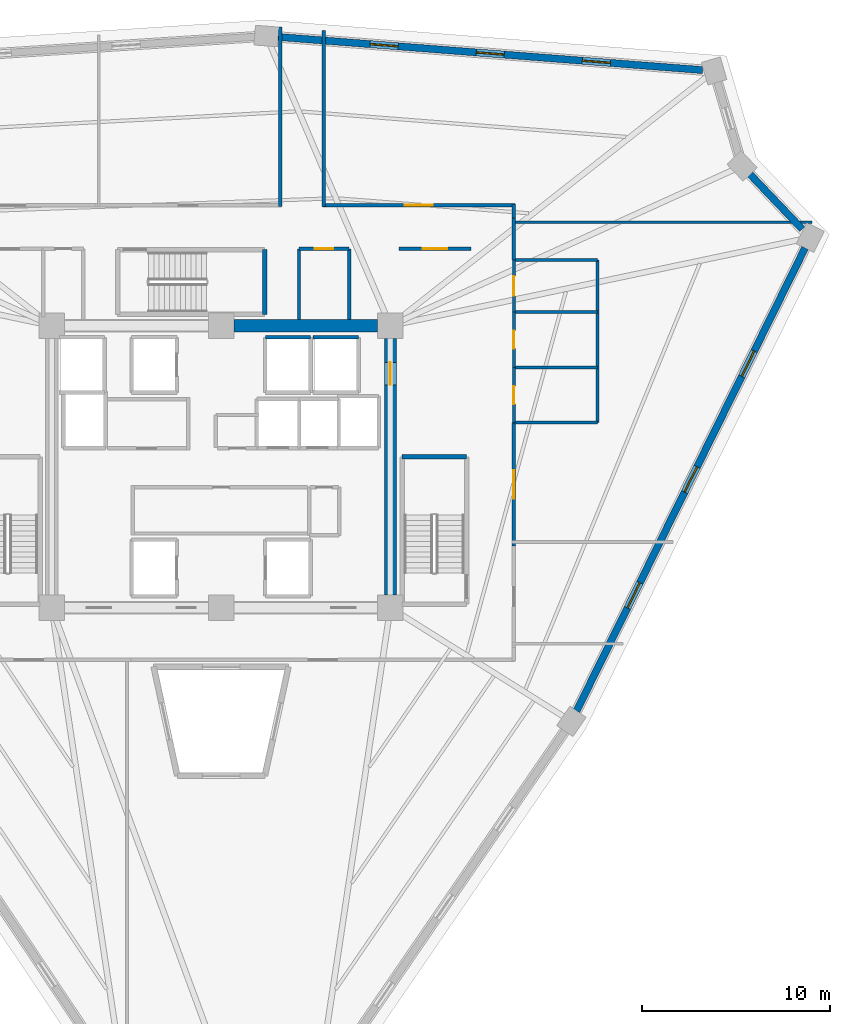
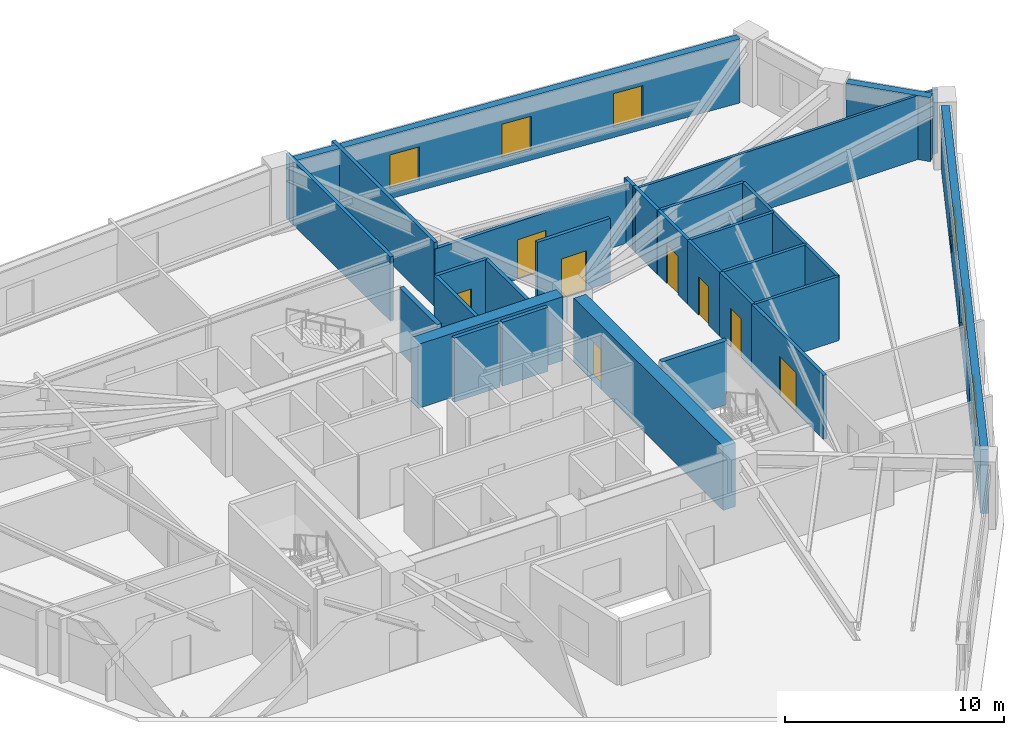
# One storey, part 6 of 8: 28 walls, 8 doors, 6 windows, 14 openings.
"""IFC4 building model written with IfcOpenShell, lengths in metres."""

from ifc_helpers import new_model, si_unit, direction, frame, frame_2d, origin, place, context, subcontext, project, spatial, rectangle, extrude, source, transform, mapped, material, layer, layer_set, type_object, element, fill, save


model = new_model("IFC4")

# Units and contexts
model_context = context("Model", 3, precision=1e-05, world=origin(), true_north=direction((0.0, 1.0)))
body_context = subcontext(model_context, "Body", "Model", "MODEL_VIEW")
ifc_project = project(units=[si_unit("LENGTHUNIT", "METRE"), si_unit("AREAUNIT", "SQUARE_METRE"), si_unit("VOLUMEUNIT", "CUBIC_METRE"), si_unit("PLANEANGLEUNIT", "RADIAN"), si_unit("MASSUNIT", "GRAM", prefix="KILO")], contexts=[model_context])

# Site, building, storey
site_placement = place(None, origin())
site = spatial("IfcSite", under=ifc_project, at=site_placement, CompositionType="ELEMENT")
building_placement = place(site_placement, origin())
building = spatial("IfcBuilding", under=site, at=building_placement, Name="Liaohun Quay Tower", CompositionType="ELEMENT")
storey_placement = place(building_placement, frame((0.0, 0.0, 270.0)))
storey = spatial("IfcBuildingStorey", under=building, at=storey_placement, Name="L70", CompositionType="ELEMENT", Elevation=270.0)

# Wall
ifc_material_1 = material(Name="Concrete C55", Category="concrete")
ifc_layer_1 = layer(ifc_material_1, 0.64990234375, Name="Concrete C55", Category="concrete")
ifc_layer_set_1 = layer_set([ifc_layer_1], Name="Concrete C55")
wall_type_1 = type_object("IfcWallType", Name="WAL-COR-Z3", PredefinedType="SHEAR", material=ifc_layer_set_1)
wall_1_placement = place(storey_placement, frame((60.675048828125, 61.5, 0.0), z_axis=(0.0, 0.0, 1.0), x_axis=(1.0, 0.0, 0.0)))
element("IfcWall", 1, at=wall_1_placement, inside=storey, type_object=wall_type_1, Name="L70 Central Core Shear Wall N-E", PredefinedType="SHEAR", context=body_context, shape_type="SweptSolid", body=[
    extrude(rectangle(XDim=7.64990234375, YDim=0.64990234375, at=frame_2d((3.824951171875, 0.0))), origin(), (0.0, 0.0, 1.0), 3.570068359375),
])

# Wall, opening, door
wall_2_placement = place(storey_placement, frame((69.0, 60.824951171875, 0.0), z_axis=(0.0, 0.0, 1.0), x_axis=(0.0, -1.0, 0.0)))
wall_2 = element("IfcWall", 2, at=wall_2_placement, inside=storey, type_object=wall_type_1, Name="L70 Central Core Shear Wall E", PredefinedType="SHEAR", context=body_context, shape_type="SweptSolid", body=[
    extrude(rectangle(XDim=13.64990234375, YDim=0.64990234375, at=frame_2d((6.824951171875, 0.0))), origin(), (0.0, 0.0, 1.0), 3.570068359375),
])
shared_shape_1 = source(origin(), body_context, "Body", "SweptSolid", [
    extrude(rectangle(XDim=1.199951171875, YDim=2.199951171875, at=frame_2d((0.60009765625, 1.10009765625))), frame((0.0, 0.3349609375, 0.0), z_axis=(0.0, -1.0, 0.0), x_axis=(1.0, 0.0, 0.0)), (0.0, 0.0, 1.0), 0.669921875),
])
opening_1_placement = place(wall_2_placement, frame((1.27490234375, 0.0, 0.0)))
opening_1 = element("IfcOpeningElement", 3, at=opening_1_placement, cuts=wall_2, Name="Opening SD1", PredefinedType="OPENING", context=body_context, shape_type="MappedRepresentation", body=[
    mapped(shared_shape_1, transform((0.0, 0.0, 0.0), x_axis=(1.0, 0.0, 0.0), y_axis=(0.0, 1.0, 0.0), z_axis=(0.0, 0.0, 1.0), scale=1.0)),
])
ifc_material_2 = material(Name="Galvanised steel fire door", Category="steel")
door_type_1 = type_object("IfcDoorType", Name="DOR-STR-1200", OperationType="NOTDEFINED", PredefinedType="DOOR", material=ifc_material_2)
shared_shape_2 = source(origin(), body_context, "Body", "SweptSolid", [
    extrude(rectangle(XDim=1.199951171875, YDim=2.199951171875, at=frame_2d((0.60009765625, 1.10009765625))), frame((0.0, 0.02490234375, 0.0), z_axis=(0.0, -1.0, 0.0), x_axis=(1.0, 0.0, 0.0)), (0.0, 0.0, 1.0), 0.050048828125),
])
door_1_placement = place(opening_1_placement, origin())
door_1 = element("IfcDoor", 4, at=door_1_placement, inside=storey, type_object=door_type_1, Name="L70 North-East Core Lobby Smokeproof Door", OperationType="SINGLE_SWING_LEFT", OverallHeight=2.199951171875, OverallWidth=1.199951171875, PredefinedType="DOOR", context=body_context, shape_type="MappedRepresentation", body=[
    mapped(shared_shape_2, transform((0.0, 0.0, 0.0), x_axis=(1.0, 0.0, 0.0), y_axis=(0.0, 1.0, 0.0), z_axis=(0.0, 0.0, 1.0), scale=1.0)),
])
fill(opening_1, door_1)

# Wall, openings, windows
ifc_material_3 = material(Name="Precast concrete C50 insulated sandwich", Category="concrete")
ifc_layer_2 = layer(ifc_material_3, 0.3798828125, Name="Precast concrete C50 insulated sandwich", Category="concrete")
ifc_layer_set_2 = layer_set([ifc_layer_2], Name="Precast concrete C50 insulated sandwich")
wall_type_2 = type_object("IfcWallType", Name="WAL-EXT-Z34", PredefinedType="SOLIDWALL", material=ifc_layer_set_2)
wall_3_placement = place(storey_placement, frame((78.89697265625, 41.012939453125, 0.0), z_axis=(0.0, 0.0, 1.0), x_axis=(0.44256239755, 0.896737712084, 0.0)))
wall_3 = element("IfcWall", 5, at=wall_3_placement, inside=storey, type_object=wall_type_2, Name="L70 Brutalist Precast Pier Wall 03", PredefinedType="SOLIDWALL", context=body_context, shape_type="SweptSolid", body=[
    extrude(rectangle(XDim=27.456298828125, YDim=0.3798828125, at=frame_2d((13.72802734375, 0.0))), origin(), (0.0, 0.0, 1.0), 3.570068359375),
])
shared_shape_3 = source(origin(), body_context, "Body", "SweptSolid", [
    extrude(rectangle(XDim=1.5, YDim=1.89990234375, at=frame_2d((0.75, 0.949951171875))), frame((0.0, 0.199951171875, 0.0), z_axis=(0.0, -1.0, 0.0), x_axis=(1.0, 0.0, 0.0)), (0.0, 0.0, 1.0), 0.39990234375),
])
opening_2_placement = place(wall_3_placement, frame((6.114013671875, 0.0, 0.550048828125)))
opening_2 = element("IfcOpeningElement", 6, at=opening_2_placement, cuts=wall_3, Name="Opening W03", PredefinedType="OPENING", context=body_context, shape_type="MappedRepresentation", body=[
    mapped(shared_shape_3, transform((0.0, 0.0, 0.0), x_axis=(1.0, 0.0, 0.0), y_axis=(0.0, 1.0, 0.0), z_axis=(0.0, 0.0, 1.0), scale=1.0)),
])
opening_3_placement = place(wall_3_placement, frame((12.97802734375, 0.0, 0.550048828125)))
opening_3 = element("IfcOpeningElement", 7, at=opening_3_placement, cuts=wall_3, Name="Opening W03", PredefinedType="OPENING", context=body_context, shape_type="MappedRepresentation", body=[
    mapped(shared_shape_3, transform((0.0, 0.0, 0.0), x_axis=(1.0, 0.0, 0.0), y_axis=(0.0, 1.0, 0.0), z_axis=(0.0, 0.0, 1.0), scale=1.0)),
])
opening_4_placement = place(wall_3_placement, frame((19.842041015625, 0.0, 0.550048828125)))
opening_4 = element("IfcOpeningElement", 8, at=opening_4_placement, cuts=wall_3, Name="Opening W03", PredefinedType="OPENING", context=body_context, shape_type="MappedRepresentation", body=[
    mapped(shared_shape_3, transform((0.0, 0.0, 0.0), x_axis=(1.0, 0.0, 0.0), y_axis=(0.0, 1.0, 0.0), z_axis=(0.0, 0.0, 1.0), scale=1.0)),
])
ifc_material_4 = material(Name="Triple Low-E argon glazing in thermally broken aluminium", Category="aluminium")
window_type = type_object("IfcWindowType", Name="WIN-PUN-Z3", PartitioningType="DOUBLE_PANEL_VERTICAL", PredefinedType="WINDOW", material=ifc_material_4)
shared_shape_4 = source(origin(), body_context, "Body", "SweptSolid", [
    extrude(rectangle(XDim=1.5, YDim=1.89990234375, at=frame_2d((0.75, 0.949951171875))), frame((0.0, 0.030029296875, 0.0), z_axis=(0.0, -1.0, 0.0), x_axis=(1.0, 0.0, 0.0)), (0.0, 0.0, 1.0), 0.06005859375),
])
window_1_placement = place(opening_2_placement, origin())
window_1 = element("IfcWindow", 9, at=window_1_placement, inside=storey, type_object=window_type, Name="L70 Recessed Cold-Climate Punched Window 03-1", OverallHeight=1.89990234375, OverallWidth=1.5, PartitioningType="DOUBLE_PANEL_VERTICAL", PredefinedType="WINDOW", context=body_context, shape_type="MappedRepresentation", body=[
    mapped(shared_shape_4, transform((0.0, 0.0, 0.0), x_axis=(1.0, 0.0, 0.0), y_axis=(0.0, 1.0, 0.0), z_axis=(0.0, 0.0, 1.0), scale=1.0)),
])
fill(opening_2, window_1)
window_2_placement = place(opening_3_placement, origin())
window_2 = element("IfcWindow", 10, at=window_2_placement, inside=storey, type_object=window_type, Name="L70 Recessed Cold-Climate Punched Window 03-2", OverallHeight=1.89990234375, OverallWidth=1.5, PartitioningType="DOUBLE_PANEL_VERTICAL", PredefinedType="WINDOW", context=body_context, shape_type="MappedRepresentation", body=[
    mapped(shared_shape_4, transform((0.0, 0.0, 0.0), x_axis=(1.0, 0.0, 0.0), y_axis=(0.0, 1.0, 0.0), z_axis=(0.0, 0.0, 1.0), scale=1.0)),
])
fill(opening_3, window_2)
window_3_placement = place(opening_4_placement, origin())
window_3 = element("IfcWindow", 11, at=window_3_placement, inside=storey, type_object=window_type, Name="L70 Recessed Cold-Climate Punched Window 03-3", OverallHeight=1.89990234375, OverallWidth=1.5, PartitioningType="DOUBLE_PANEL_VERTICAL", PredefinedType="WINDOW", context=body_context, shape_type="MappedRepresentation", body=[
    mapped(shared_shape_4, transform((0.0, 0.0, 0.0), x_axis=(1.0, 0.0, 0.0), y_axis=(0.0, 1.0, 0.0), z_axis=(0.0, 0.0, 1.0), scale=1.0)),
])
fill(opening_4, window_3)

# Wall
wall_4_placement = place(storey_placement, frame((90.89599609375, 66.631103515625, 0.0), z_axis=(0.0, 0.0, 1.0), x_axis=(-0.689385443417, 0.724394720028, 0.0)))
element("IfcWall", 12, at=wall_4_placement, inside=storey, type_object=wall_type_2, Name="L70 Brutalist Precast Pier Wall 04", PredefinedType="SOLIDWALL", context=body_context, shape_type="SweptSolid", body=[
    extrude(rectangle(XDim=4.023681640625, YDim=0.3798828125, at=frame_2d((2.01171875, 0.0))), origin(), (0.0, 0.0, 1.0), 3.570068359375),
])

# Wall, openings, windows
wall_5_placement = place(storey_placement, frame((85.596923828125, 75.087890625, 0.0), z_axis=(0.0, 0.0, 1.0), x_axis=(-0.996963017865, 0.077876447083, 0.0)))
wall_5 = element("IfcWall", 13, at=wall_5_placement, inside=storey, type_object=wall_type_2, Name="L70 Brutalist Precast Pier Wall 06", PredefinedType="SOLIDWALL", context=body_context, shape_type="SweptSolid", body=[
    extrude(rectangle(XDim=22.640869140625, YDim=0.3798828125, at=frame_2d((11.3203125, 0.0))), origin(), (0.0, 0.0, 1.0), 3.570068359375),
])
opening_5_placement = place(wall_5_placement, frame((4.909912109375, 0.0, 0.550048828125)))
opening_5 = element("IfcOpeningElement", 14, at=opening_5_placement, cuts=wall_5, Name="Opening W03", PredefinedType="OPENING", context=body_context, shape_type="MappedRepresentation", body=[
    mapped(shared_shape_3, transform((0.0, 0.0, 0.0), x_axis=(1.0, 0.0, 0.0), y_axis=(0.0, 1.0, 0.0), z_axis=(0.0, 0.0, 1.0), scale=1.0)),
])
opening_6_placement = place(wall_5_placement, frame((10.570068359375, 0.0, 0.550048828125)))
opening_6 = element("IfcOpeningElement", 15, at=opening_6_placement, cuts=wall_5, Name="Opening W03", PredefinedType="OPENING", context=body_context, shape_type="MappedRepresentation", body=[
    mapped(shared_shape_3, transform((0.0, 0.0, 0.0), x_axis=(1.0, 0.0, 0.0), y_axis=(0.0, 1.0, 0.0), z_axis=(0.0, 0.0, 1.0), scale=1.0)),
])
opening_7_placement = place(wall_5_placement, frame((16.23095703125, 0.0, 0.550048828125)))
opening_7 = element("IfcOpeningElement", 16, at=opening_7_placement, cuts=wall_5, Name="Opening W03", PredefinedType="OPENING", context=body_context, shape_type="MappedRepresentation", body=[
    mapped(shared_shape_3, transform((0.0, 0.0, 0.0), x_axis=(1.0, 0.0, 0.0), y_axis=(0.0, 1.0, 0.0), z_axis=(0.0, 0.0, 1.0), scale=1.0)),
])
window_4_placement = place(opening_5_placement, origin())
window_4 = element("IfcWindow", 17, at=window_4_placement, inside=storey, type_object=window_type, Name="L70 Recessed Cold-Climate Punched Window 06-1", OverallHeight=1.89990234375, OverallWidth=1.5, PartitioningType="DOUBLE_PANEL_VERTICAL", PredefinedType="WINDOW", context=body_context, shape_type="MappedRepresentation", body=[
    mapped(shared_shape_4, transform((0.0, 0.0, 0.0), x_axis=(1.0, 0.0, 0.0), y_axis=(0.0, 1.0, 0.0), z_axis=(0.0, 0.0, 1.0), scale=1.0)),
])
fill(opening_5, window_4)
window_5_placement = place(opening_6_placement, origin())
window_5 = element("IfcWindow", 18, at=window_5_placement, inside=storey, type_object=window_type, Name="L70 Recessed Cold-Climate Punched Window 06-2", OverallHeight=1.89990234375, OverallWidth=1.5, PartitioningType="DOUBLE_PANEL_VERTICAL", PredefinedType="WINDOW", context=body_context, shape_type="MappedRepresentation", body=[
    mapped(shared_shape_4, transform((0.0, 0.0, 0.0), x_axis=(1.0, 0.0, 0.0), y_axis=(0.0, 1.0, 0.0), z_axis=(0.0, 0.0, 1.0), scale=1.0)),
])
fill(opening_6, window_5)
window_6_placement = place(opening_7_placement, origin())
window_6 = element("IfcWindow", 19, at=window_6_placement, inside=storey, type_object=window_type, Name="L70 Recessed Cold-Climate Punched Window 06-3", OverallHeight=1.89990234375, OverallWidth=1.5, PartitioningType="DOUBLE_PANEL_VERTICAL", PredefinedType="WINDOW", context=body_context, shape_type="MappedRepresentation", body=[
    mapped(shared_shape_4, transform((0.0, 0.0, 0.0), x_axis=(1.0, 0.0, 0.0), y_axis=(0.0, 1.0, 0.0), z_axis=(0.0, 0.0, 1.0), scale=1.0)),
])
fill(opening_7, window_6)

# Wall, opening, door
ifc_material_5 = material(Name="Autoclaved aerated concrete blockwork", Category="masonry")
ifc_layer_3 = layer(ifc_material_5, 0.179931640625, Name="Autoclaved aerated concrete blockwork", Category="masonry")
ifc_layer_set_3 = layer_set([ifc_layer_3], Name="Autoclaved aerated concrete blockwork")
wall_type_3 = type_object("IfcWallType", Name="WAL-PRT-COR", PredefinedType="PARTITIONING", material=ifc_layer_set_3)
wall_6_placement = place(storey_placement, frame((64.139892578125, 65.580078125, 0.0), z_axis=(0.0, 0.0, 1.0), x_axis=(1.0, 0.0, 0.0)))
wall_6 = element("IfcWall", 20, at=wall_6_placement, inside=storey, type_object=wall_type_3, Name="L70 Interior Partition Wall 009", PredefinedType="PARTITIONING", context=body_context, shape_type="SweptSolid", body=[
    extrude(rectangle(XDim=2.670166015625, YDim=0.179931640625, at=frame_2d((1.3349609375, 0.0))), origin(), (0.0, 0.0, 1.0), 3.570068359375),
])
shared_shape_5 = source(origin(), body_context, "Body", "SweptSolid", [
    extrude(rectangle(XDim=1.0, YDim=2.199951171875, at=frame_2d((0.5, 1.10009765625))), frame((0.0, 0.099853515625, 0.0), z_axis=(0.0, -1.0, 0.0), x_axis=(1.0, 0.0, 0.0)), (0.0, 0.0, 1.0), 0.199951171875),
])
opening_8_placement = place(wall_6_placement, frame((0.8349609375, 0.0, 0.0)))
opening_8 = element("IfcOpeningElement", 21, at=opening_8_placement, cuts=wall_6, Name="Opening OD1", PredefinedType="OPENING", context=body_context, shape_type="MappedRepresentation", body=[
    mapped(shared_shape_5, transform((0.0, 0.0, 0.0), x_axis=(1.0, 0.0, 0.0), y_axis=(0.0, 1.0, 0.0), z_axis=(0.0, 0.0, 1.0), scale=1.0)),
])
ifc_material_6 = material(Name="Solid-core oak veneer timber leaf in steel frame", Category="steel")
door_type_2 = type_object("IfcDoorType", Name="DOR-OFF-1000", OperationType="NOTDEFINED", PredefinedType="DOOR", material=ifc_material_6)
shared_shape_6 = source(origin(), body_context, "Body", "SweptSolid", [
    extrude(rectangle(XDim=1.0, YDim=2.199951171875, at=frame_2d((0.5, 1.10009765625))), frame((0.0, 0.02490234375, 0.0), z_axis=(0.0, -1.0, 0.0), x_axis=(1.0, 0.0, 0.0)), (0.0, 0.0, 1.0), 0.050048828125),
])
door_2_placement = place(opening_8_placement, origin())
door_2 = element("IfcDoor", 22, at=door_2_placement, inside=storey, type_object=door_type_2, Name="L70 North-East Server Closet Door", OperationType="SINGLE_SWING_LEFT", OverallHeight=2.199951171875, OverallWidth=1.0, PredefinedType="DOOR", context=body_context, shape_type="MappedRepresentation", body=[
    mapped(shared_shape_6, transform((0.0, 0.0, 0.0), x_axis=(1.0, 0.0, 0.0), y_axis=(0.0, 1.0, 0.0), z_axis=(0.0, 0.0, 1.0), scale=1.0)),
])
fill(opening_8, door_2)

wall_7_placement = place(storey_placement, frame((69.4599609375, 65.580078125, 0.0), z_axis=(0.0, 0.0, 1.0), x_axis=(1.0, 0.0, 0.0)))
wall_7 = element("IfcWall", 23, at=wall_7_placement, inside=storey, type_object=wall_type_3, Name="L70 Interior Partition Wall 011", PredefinedType="PARTITIONING", context=body_context, shape_type="SweptSolid", body=[
    extrude(rectangle(XDim=3.840087890625, YDim=0.179931640625, at=frame_2d((1.919921875, 0.0))), origin(), (0.0, 0.0, 1.0), 3.570068359375),
])
shared_shape_7 = source(origin(), body_context, "Body", "SweptSolid", [
    extrude(rectangle(XDim=1.300048828125, YDim=2.199951171875, at=frame_2d((0.64990234375, 1.10009765625))), frame((0.0, 0.099853515625, 0.0), z_axis=(0.0, -1.0, 0.0), x_axis=(1.0, 0.0, 0.0)), (0.0, 0.0, 1.0), 0.199951171875),
])
opening_9_placement = place(wall_7_placement, frame((1.27001953125, 0.0, 0.0)))
opening_9 = element("IfcOpeningElement", 24, at=opening_9_placement, cuts=wall_7, Name="Opening FD1", PredefinedType="OPENING", context=body_context, shape_type="MappedRepresentation", body=[
    mapped(shared_shape_7, transform((0.0, 0.0, 0.0), x_axis=(1.0, 0.0, 0.0), y_axis=(0.0, 1.0, 0.0), z_axis=(0.0, 0.0, 1.0), scale=1.0)),
])
ifc_material_7 = material(Name="Galvanised steel smokeproof fire door", Category="steel")
door_type_3 = type_object("IfcDoorType", Name="DOR-FFL-1300", OperationType="NOTDEFINED", PredefinedType="DOOR", material=ifc_material_7)
shared_shape_8 = source(origin(), body_context, "Body", "SweptSolid", [
    extrude(rectangle(XDim=1.300048828125, YDim=2.199951171875, at=frame_2d((0.64990234375, 1.10009765625))), frame((0.0, 0.02490234375, 0.0), z_axis=(0.0, -1.0, 0.0), x_axis=(1.0, 0.0, 0.0)), (0.0, 0.0, 1.0), 0.050048828125),
])
door_3_placement = place(opening_9_placement, origin())
door_3 = element("IfcDoor", 25, at=door_3_placement, inside=storey, type_object=door_type_3, Name="L70 East Core Vestibule Door", OperationType="SINGLE_SWING_LEFT", OverallHeight=2.199951171875, OverallWidth=1.300048828125, PredefinedType="DOOR", context=body_context, shape_type="MappedRepresentation", body=[
    mapped(shared_shape_8, transform((0.0, 0.0, 0.0), x_axis=(1.0, 0.0, 0.0), y_axis=(0.0, 1.0, 0.0), z_axis=(0.0, 0.0, 1.0), scale=1.0)),
])
fill(opening_9, door_3)

wall_8_placement = place(storey_placement, frame((75.56005859375, 56.340087890625, 0.0), z_axis=(0.0, 0.0, 1.0), x_axis=(0.0, -1.0, 0.0)))
wall_8 = element("IfcWall", 26, at=wall_8_placement, inside=storey, type_object=wall_type_3, Name="L70 Interior Partition Wall 012", PredefinedType="PARTITIONING", context=body_context, shape_type="SweptSolid", body=[
    extrude(rectangle(XDim=6.55517578125, YDim=0.179931640625, at=frame_2d((3.277587890625, 0.0))), origin(), (0.0, 0.0, 1.0), 3.570068359375),
])
shared_shape_9 = source(origin(), body_context, "Body", "SweptSolid", [
    extrude(rectangle(XDim=1.5, YDim=2.199951171875, at=frame_2d((0.75, 1.10009765625))), frame((0.0, 0.099853515625, 0.0), z_axis=(0.0, -1.0, 0.0), x_axis=(1.0, 0.0, 0.0)), (0.0, 0.0, 1.0), 0.199951171875),
])
opening_10_placement = place(wall_8_placement, frame((2.528076171875, 0.0, 0.0)))
opening_10 = element("IfcOpeningElement", 27, at=opening_10_placement, cuts=wall_8, Name="Opening OD2", PredefinedType="OPENING", context=body_context, shape_type="MappedRepresentation", body=[
    mapped(shared_shape_9, transform((0.0, 0.0, 0.0), x_axis=(1.0, 0.0, 0.0), y_axis=(0.0, 1.0, 0.0), z_axis=(0.0, 0.0, 1.0), scale=1.0)),
])
ifc_material_8 = material(Name="Acoustic oak veneer double door")
door_type_4 = type_object("IfcDoorType", Name="DOR-OFF-1500", OperationType="DOUBLE_DOOR_SINGLE_SWING", PredefinedType="DOOR", material=ifc_material_8)
shared_shape_10 = source(origin(), body_context, "Body", "SweptSolid", [
    extrude(rectangle(XDim=1.5, YDim=2.199951171875, at=frame_2d((0.75, 1.10009765625))), frame((0.0, 0.02490234375, 0.0), z_axis=(0.0, -1.0, 0.0), x_axis=(1.0, 0.0, 0.0)), (0.0, 0.0, 1.0), 0.050048828125),
])
door_4_placement = place(opening_10_placement, origin())
door_4 = element("IfcDoor", 28, at=door_4_placement, inside=storey, type_object=door_type_4, Name="L70 Digital Prototyping Laboratory 01 Door", OperationType="DOUBLE_DOOR_SINGLE_SWING", OverallHeight=2.199951171875, OverallWidth=1.5, PredefinedType="DOOR", context=body_context, shape_type="MappedRepresentation", body=[
    mapped(shared_shape_10, transform((0.0, 0.0, 0.0), x_axis=(1.0, 0.0, 0.0), y_axis=(0.0, 1.0, 0.0), z_axis=(0.0, 0.0, 1.0), scale=1.0)),
])
fill(opening_10, door_4)

wall_9_placement = place(storey_placement, frame((65.389892578125, 67.909912109375, 0.0), z_axis=(0.0, 0.0, 1.0), x_axis=(1.0, 0.0, 0.0)))
wall_9 = element("IfcWall", 29, at=wall_9_placement, inside=storey, type_object=wall_type_3, Name="L70 Interior Partition Wall 013", PredefinedType="PARTITIONING", context=body_context, shape_type="SweptSolid", body=[
    extrude(rectangle(XDim=10.239990234375, YDim=0.179931640625, at=frame_2d((5.1201171875, 0.0))), origin(), (0.0, 0.0, 1.0), 3.205078125),
])
opening_11_placement = place(wall_9_placement, frame((4.3701171875, 0.0, 0.0)))
opening_11 = element("IfcOpeningElement", 30, at=opening_11_placement, cuts=wall_9, Name="Opening OD2", PredefinedType="OPENING", context=body_context, shape_type="MappedRepresentation", body=[
    mapped(shared_shape_9, transform((0.0, 0.0, 0.0), x_axis=(1.0, 0.0, 0.0), y_axis=(0.0, 1.0, 0.0), z_axis=(0.0, 0.0, 1.0), scale=1.0)),
])
door_5_placement = place(opening_11_placement, origin())
door_5 = element("IfcDoor", 31, at=door_5_placement, inside=storey, type_object=door_type_4, Name="L70 Corporate Exhibition Gallery 02 Door", OperationType="DOUBLE_DOOR_SINGLE_SWING", OverallHeight=2.199951171875, OverallWidth=1.5, PredefinedType="DOOR", context=body_context, shape_type="MappedRepresentation", body=[
    mapped(shared_shape_10, transform((0.0, 0.0, 0.0), x_axis=(1.0, 0.0, 0.0), y_axis=(0.0, 1.0, 0.0), z_axis=(0.0, 0.0, 1.0), scale=1.0)),
])
fill(opening_11, door_5)

# Walls
for number, where, z_axis, x_axis, name in (
    (32, (64.139892578125, 61.824951171875, 0.0), (0.0, 0.0, 1.0), (0.0, 1.0, 0.0), "L70 Interior Partition Wall 036"),
    (33, (66.81005859375, 61.824951171875, 0.0), (0.0, 0.0, 1.0), (0.0, 1.0, 0.0), "L70 Interior Partition Wall 037"),
):
    element("IfcWall", number, at=place(storey_placement, frame(where, z_axis=z_axis, x_axis=x_axis)), inside=storey, type_object=wall_type_3, Name=name, PredefinedType="PARTITIONING", context=body_context, shape_type="SweptSolid", body=[
        extrude(rectangle(XDim=3.755126953125, YDim=0.179931640625, at=frame_2d((1.87744140625, 0.0))), origin(), (0.0, 0.0, 1.0), 3.570068359375),
    ])
wall_10_placement = place(storey_placement, frame((75.56005859375, 67.215087890625, 0.0), z_axis=(0.0, 0.0, 1.0), x_axis=(0.0, -1.0, 0.0)))
element("IfcWall", 34, at=wall_10_placement, inside=storey, type_object=wall_type_3, Name="L70 Interior Partition Wall 038", PredefinedType="PARTITIONING", context=body_context, shape_type="SweptSolid", body=[
    extrude(rectangle(XDim=2.235107421875, YDim=0.179931640625, at=frame_2d((1.11767578125, 0.0))), origin(), (0.0, 0.0, 1.0), 3.570068359375),
])
wall_11_placement = place(storey_placement, frame((65.4599609375, 77.201904296875, 0.0), z_axis=(0.0, 0.0, 1.0), x_axis=(0.0, -1.0, 0.0)))
element("IfcWall", 35, at=wall_11_placement, inside=storey, type_object=wall_type_3, Name="L70 Interior Partition Wall 039", PredefinedType="PARTITIONING", context=body_context, shape_type="SweptSolid", body=[
    extrude(rectangle(XDim=9.36181640625, YDim=0.179931640625, at=frame_2d((4.680908203125, 0.0))), origin(), (0.0, 0.0, 1.0), 3.570068359375),
])
wall_12_placement = place(storey_placement, frame((75.56005859375, 67.97998046875, 0.0), z_axis=(0.0, 0.0, 1.0), x_axis=(0.0, -1.0, 0.0)))
element("IfcWall", 36, at=wall_12_placement, inside=storey, type_object=wall_type_3, Name="L70 Interior Partition Wall 040", PredefinedType="PARTITIONING", context=body_context, shape_type="SweptSolid", body=[
    extrude(rectangle(XDim=0.764892578125, YDim=0.179931640625, at=frame_2d((0.38232421875, 0.0))), origin(), (0.0, 0.0, 1.0), 3.570068359375),
])
wall_13_placement = place(storey_placement, frame((63.139892578125, 67.840087890625, 0.0), z_axis=(0.0, 0.0, 1.0), x_axis=(0.0, 1.0, 0.0)))
element("IfcWall", 37, at=wall_13_placement, inside=storey, type_object=wall_type_3, Name="L70 Interior Partition Wall 041", PredefinedType="PARTITIONING", context=body_context, shape_type="SweptSolid", body=[
    extrude(rectangle(XDim=9.54296875, YDim=0.179931640625, at=frame_2d((4.771484375, 0.0))), origin(), (0.0, 0.0, 1.0), 3.570068359375),
])
ifc_material_9 = material(Name="Gypsum board on twin steel studs", Category="steel")
ifc_layer_4 = layer(ifc_material_9, 0.139892578125, Name="Gypsum board on twin steel studs", Category="steel")
ifc_layer_set_4 = layer_set([ifc_layer_4], Name="Gypsum board on twin steel studs")
wall_type_4 = type_object("IfcWallType", Name="WAL-PRT-OFF", PredefinedType="PARTITIONING", material=ifc_layer_set_4)
wall_14_placement = place(storey_placement, frame((75.4599609375, 67.0, 0.0), z_axis=(0.0, 0.0, 1.0), x_axis=(1.0, 0.0, 0.0)))
element("IfcWall", 38, at=wall_14_placement, inside=storey, type_object=wall_type_4, Name="L70 Interior Partition Wall 055", PredefinedType="PARTITIONING", context=body_context, shape_type="SweptSolid", body=[
    extrude(rectangle(XDim=15.9541015625, YDim=0.139892578125, at=frame_2d((7.97705078125, 0.0))), origin(), (0.0, 0.0, 1.0), 3.570068359375),
])

# Wall, opening, door
ifc_material_10 = material(Name="Moisture-resistant masonry blockwork", Category="masonry")
ifc_layer_5 = layer(ifc_material_10, 0.159912109375, Name="Moisture-resistant masonry blockwork", Category="masonry")
ifc_layer_set_5 = layer_set([ifc_layer_5], Name="Moisture-resistant masonry blockwork")
wall_type_5 = type_object("IfcWallType", Name="WAL-PRT-WET", PredefinedType="PARTITIONING", material=ifc_layer_set_5)
wall_15_placement = place(storey_placement, frame((75.56005859375, 56.340087890625, 0.0), z_axis=(0.0, 0.0, 1.0), x_axis=(0.0, 1.0, 0.0)))
wall_15 = element("IfcWall", 39, at=wall_15_placement, inside=storey, type_object=wall_type_5, Name="L70 Interior Partition Wall 005", PredefinedType="PARTITIONING", context=body_context, shape_type="SweptSolid", body=[
    extrude(rectangle(XDim=2.93994140625, YDim=0.159912109375, at=frame_2d((1.469970703125, 0.0))), origin(), (0.0, 0.0, 1.0), 3.570068359375),
])
shared_shape_11 = source(origin(), body_context, "Body", "SweptSolid", [
    extrude(rectangle(XDim=0.949951171875, YDim=2.14990234375, at=frame_2d((0.47509765625, 1.074951171875))), frame((0.0, 0.08984375, 0.0), z_axis=(0.0, -1.0, 0.0), x_axis=(1.0, 0.0, 0.0)), (0.0, 0.0, 1.0), 0.179931640625),
])
opening_12_placement = place(wall_15_placement, frame((0.9951171875, 0.0, 0.0)))
opening_12 = element("IfcOpeningElement", 40, at=opening_12_placement, cuts=wall_15, Name="Opening WD1", PredefinedType="OPENING", context=body_context, shape_type="MappedRepresentation", body=[
    mapped(shared_shape_11, transform((0.0, 0.0, 0.0), x_axis=(1.0, 0.0, 0.0), y_axis=(0.0, 1.0, 0.0), z_axis=(0.0, 0.0, 1.0), scale=1.0)),
])
ifc_material_11 = material(Name="Moisture-resistant laminate timber leaf", Category="wood")
door_type_5 = type_object("IfcDoorType", Name="DOR-WC-950", OperationType="NOTDEFINED", PredefinedType="DOOR", material=ifc_material_11)
shared_shape_12 = source(origin(), body_context, "Body", "SweptSolid", [
    extrude(rectangle(XDim=0.949951171875, YDim=2.14990234375, at=frame_2d((0.47509765625, 1.074951171875))), frame((0.0, 0.02490234375, 0.0), z_axis=(0.0, -1.0, 0.0), x_axis=(1.0, 0.0, 0.0)), (0.0, 0.0, 1.0), 0.050048828125),
])
door_6_placement = place(opening_12_placement, origin())
door_6 = element("IfcDoor", 41, at=door_6_placement, inside=storey, type_object=door_type_5, Name="L70 Male Restroom WC Door", OperationType="SINGLE_SWING_LEFT", OverallHeight=2.14990234375, OverallWidth=0.949951171875, PredefinedType="DOOR", context=body_context, shape_type="MappedRepresentation", body=[
    mapped(shared_shape_12, transform((0.0, 0.0, 0.0), x_axis=(1.0, 0.0, 0.0), y_axis=(0.0, 1.0, 0.0), z_axis=(0.0, 0.0, 1.0), scale=1.0)),
])
fill(opening_12, door_6)

wall_16_placement = place(storey_placement, frame((75.56005859375, 59.280029296875, 0.0), z_axis=(0.0, 0.0, 1.0), x_axis=(0.0, 1.0, 0.0)))
wall_16 = element("IfcWall", 42, at=wall_16_placement, inside=storey, type_object=wall_type_5, Name="L70 Interior Partition Wall 006", PredefinedType="PARTITIONING", context=body_context, shape_type="SweptSolid", body=[
    extrude(rectangle(XDim=2.9599609375, YDim=0.159912109375, at=frame_2d((1.47998046875, 0.0))), origin(), (0.0, 0.0, 1.0), 3.570068359375),
])
opening_13_placement = place(wall_16_placement, frame((1.0048828125, 0.0, 0.0)))
opening_13 = element("IfcOpeningElement", 43, at=opening_13_placement, cuts=wall_16, Name="Opening WD1", PredefinedType="OPENING", context=body_context, shape_type="MappedRepresentation", body=[
    mapped(shared_shape_11, transform((0.0, 0.0, 0.0), x_axis=(1.0, 0.0, 0.0), y_axis=(0.0, 1.0, 0.0), z_axis=(0.0, 0.0, 1.0), scale=1.0)),
])
door_7_placement = place(opening_13_placement, origin())
door_7 = element("IfcDoor", 44, at=door_7_placement, inside=storey, type_object=door_type_5, Name="L70 Female Restroom WC Door", OperationType="SINGLE_SWING_RIGHT", OverallHeight=2.14990234375, OverallWidth=0.949951171875, PredefinedType="DOOR", context=body_context, shape_type="MappedRepresentation", body=[
    mapped(shared_shape_12, transform((0.0, 0.0, 0.0), x_axis=(1.0, 0.0, 0.0), y_axis=(0.0, 1.0, 0.0), z_axis=(0.0, 0.0, 1.0), scale=1.0)),
])
fill(opening_13, door_7)

wall_17_placement = place(storey_placement, frame((75.56005859375, 62.239990234375, 0.0), z_axis=(0.0, 0.0, 1.0), x_axis=(0.0, 1.0, 0.0)))
wall_17 = element("IfcWall", 45, at=wall_17_placement, inside=storey, type_object=wall_type_5, Name="L70 Interior Partition Wall 007", PredefinedType="PARTITIONING", context=body_context, shape_type="SweptSolid", body=[
    extrude(rectangle(XDim=2.739990234375, YDim=0.159912109375, at=frame_2d((1.3701171875, 0.0))), origin(), (0.0, 0.0, 1.0), 3.570068359375),
])
shared_shape_13 = source(origin(), body_context, "Body", "SweptSolid", [
    extrude(rectangle(XDim=1.050048828125, YDim=2.14990234375, at=frame_2d((0.52490234375, 1.074951171875))), frame((0.0, 0.08984375, 0.0), z_axis=(0.0, -1.0, 0.0), x_axis=(1.0, 0.0, 0.0)), (0.0, 0.0, 1.0), 0.179931640625),
])
opening_14_placement = place(wall_17_placement, frame((0.844970703125, 0.0, 0.0)))
opening_14 = element("IfcOpeningElement", 46, at=opening_14_placement, cuts=wall_17, Name="Opening WD2", PredefinedType="OPENING", context=body_context, shape_type="MappedRepresentation", body=[
    mapped(shared_shape_13, transform((0.0, 0.0, 0.0), x_axis=(1.0, 0.0, 0.0), y_axis=(0.0, 1.0, 0.0), z_axis=(0.0, 0.0, 1.0), scale=1.0)),
])
ifc_material_12 = material(Name="Accessible outward-swinging laminate door")
door_type_6 = type_object("IfcDoorType", Name="DOR-AWC-1050", OperationType="NOTDEFINED", PredefinedType="DOOR", material=ifc_material_12)
shared_shape_14 = source(origin(), body_context, "Body", "SweptSolid", [
    extrude(rectangle(XDim=1.050048828125, YDim=2.14990234375, at=frame_2d((0.52490234375, 1.074951171875))), frame((0.0, 0.02490234375, 0.0), z_axis=(0.0, -1.0, 0.0), x_axis=(1.0, 0.0, 0.0)), (0.0, 0.0, 1.0), 0.050048828125),
])
door_8_placement = place(opening_14_placement, origin())
door_8 = element("IfcDoor", 47, at=door_8_placement, inside=storey, type_object=door_type_6, Name="L70 Accessible WC Door", OperationType="SINGLE_SWING_LEFT", OverallHeight=2.14990234375, OverallWidth=1.050048828125, PredefinedType="DOOR", context=body_context, shape_type="MappedRepresentation", body=[
    mapped(shared_shape_14, transform((0.0, 0.0, 0.0), x_axis=(1.0, 0.0, 0.0), y_axis=(0.0, 1.0, 0.0), z_axis=(0.0, 0.0, 1.0), scale=1.0)),
])
fill(opening_14, door_8)

# Walls
wall_18_placement = place(storey_placement, frame((80.02001953125, 56.340087890625, 0.0), z_axis=(0.0, 0.0, 1.0), x_axis=(0.0, 1.0, 0.0)))
element("IfcWall", 48, at=wall_18_placement, inside=storey, type_object=wall_type_5, Name="L70 Interior Partition Wall 029", PredefinedType="PARTITIONING", context=body_context, shape_type="SweptSolid", body=[
    extrude(rectangle(XDim=8.639892578125, YDim=0.159912109375, at=frame_2d((4.31982421875, 0.0))), origin(), (0.0, 0.0, 1.0), 3.570068359375),
])
for number, where, z_axis, x_axis, name in (
    (49, (75.56005859375, 56.340087890625, 0.0), (0.0, 0.0, 1.0), (1.0, 0.0, 0.0), "L70 Interior Partition Wall 030"),
    (50, (75.56005859375, 59.280029296875, 0.0), (0.0, 0.0, 1.0), (1.0, 0.0, 0.0), "L70 Interior Partition Wall 031"),
    (51, (75.56005859375, 62.239990234375, 0.0), (0.0, 0.0, 1.0), (1.0, 0.0, 0.0), "L70 Interior Partition Wall 032"),
    (52, (75.56005859375, 64.97998046875, 0.0), (0.0, 0.0, 1.0), (1.0, 0.0, 0.0), "L70 Interior Partition Wall 033"),
):
    element("IfcWall", number, at=place(storey_placement, frame(where, z_axis=z_axis, x_axis=x_axis)), inside=storey, type_object=wall_type_5, Name=name, PredefinedType="PARTITIONING", context=body_context, shape_type="SweptSolid", body=[
        extrude(rectangle(XDim=4.4599609375, YDim=0.159912109375, at=frame_2d((2.22998046875, 0.0))), origin(), (0.0, 0.0, 1.0), 3.570068359375),
    ])
ifc_material_13 = material(Name="Concrete C50", Category="concrete")
ifc_layer_6 = layer(ifc_material_13, 0.239990234375, Name="Concrete C50", Category="concrete")
ifc_layer_set_6 = layer_set([ifc_layer_6], Name="Concrete C50")
wall_type_6 = type_object("IfcWallType", Name="WAL-SHF-200", PredefinedType="SOLIDWALL", material=ifc_layer_set_6)
for number, where, z_axis, x_axis, name in (
    (53, (73.06005859375, 54.52001953125, 0.0), (0.0, 0.0, 1.0), (-1.0, 0.0, 0.0), "L70 Stairwell ST-2 Structural Core Wall N"),
    (54, (62.320068359375, 62.10009765625, 0.0), (0.0, 0.0, 1.0), (0.0, 1.0, 0.0), "L70 Stairwell ST-3 Structural Core Wall E"),
):
    element("IfcWall", number, at=place(storey_placement, frame(where, z_axis=z_axis, x_axis=x_axis)), inside=storey, type_object=wall_type_6, Name=name, PredefinedType="SOLIDWALL", context=body_context, shape_type="SweptSolid", body=[
        extrude(rectangle(XDim=3.43994140625, YDim=0.239990234375, at=frame_2d((1.719970703125, 0.0))), origin(), (0.0, 0.0, 1.0), 3.570068359375),
    ])
wall_19_placement = place(storey_placement, frame((64.75, 60.8798828125, 0.0), z_axis=(0.0, 0.0, 1.0), x_axis=(-1.0, 0.0, 0.0)))
element("IfcWall", 55, at=wall_19_placement, inside=storey, type_object=wall_type_6, Name="L70 Lift OB-01 Hoistway Wall N", PredefinedType="SOLIDWALL", context=body_context, shape_type="SweptSolid", body=[
    extrude(rectangle(XDim=2.39990234375, YDim=0.199951171875, at=frame_2d((1.199951171875, 0.0))), origin(), (0.0, 0.0, 1.0), 3.570068359375),
])
wall_20_placement = place(storey_placement, frame((67.300048828125, 60.8798828125, 0.0), z_axis=(0.0, 0.0, 1.0), x_axis=(-1.0, 0.0, 0.0)))
element("IfcWall", 56, at=wall_20_placement, inside=storey, type_object=wall_type_6, Name="L70 Lift OB-02 Hoistway Wall N", PredefinedType="SOLIDWALL", context=body_context, shape_type="SweptSolid", body=[
    extrude(rectangle(XDim=2.400146484375, YDim=0.199951171875, at=frame_2d((1.2001953125, 0.0))), origin(), (0.0, 0.0, 1.0), 3.570068359375),
])

save(model, "model.ifc")
